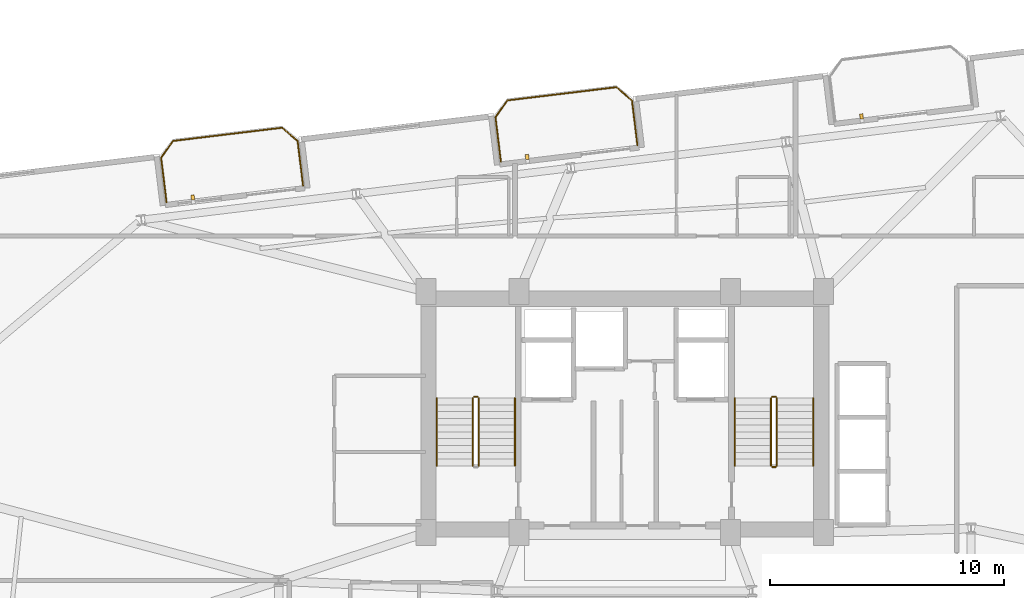
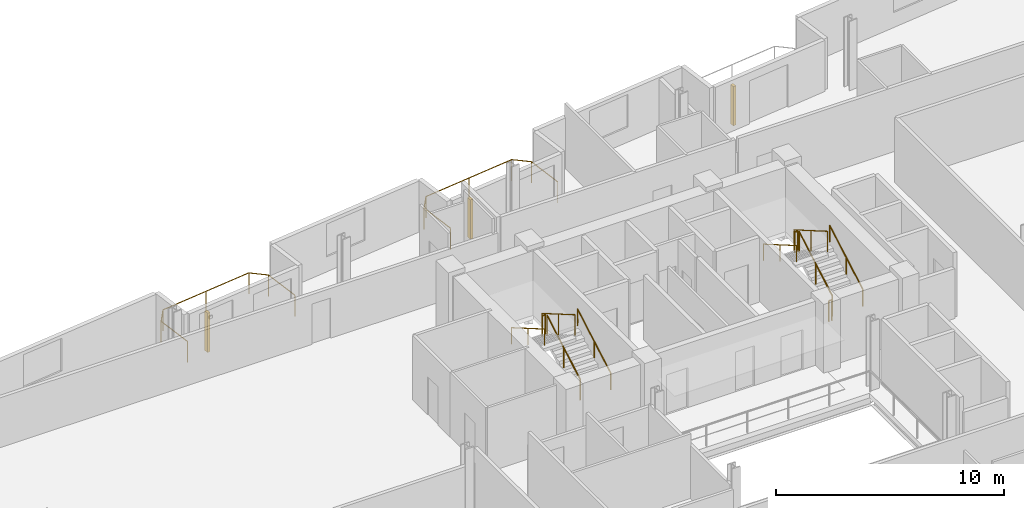
# One storey, part 22 of 23: 13 railings, 3 shading devices.
"""IFC4 building model written with IfcOpenShell, lengths in metres."""

from ifc_helpers import new_model, si_unit, direction, frame, origin, origin_2d, place, context, subcontext, project, spatial, rectangle, circle, extrude, source, transform, mapped, material, type_object, element, save


model = new_model("IFC4")

# Units and contexts
model_context = context("Model", 3, precision=1e-05, world=origin(), true_north=direction((0.0, 1.0)))
body_context = subcontext(model_context, "Body", "Model", "MODEL_VIEW")
ifc_project = project(units=[si_unit("LENGTHUNIT", "METRE"), si_unit("AREAUNIT", "SQUARE_METRE"), si_unit("VOLUMEUNIT", "CUBIC_METRE"), si_unit("PLANEANGLEUNIT", "RADIAN"), si_unit("MASSUNIT", "GRAM", prefix="KILO")], contexts=[model_context])

# Site, building, storey
site_placement = place(None, origin())
site = spatial("IfcSite", under=ifc_project, at=site_placement, CompositionType="ELEMENT")
building_placement = place(site_placement, origin())
building = spatial("IfcBuilding", under=site, at=building_placement, Name="Varnelok Gate Tower", CompositionType="ELEMENT")
storey_placement = place(building_placement, frame((0.0, 0.0, 174.60009765625)))
storey = spatial("IfcBuildingStorey", under=building, at=storey_placement, Name="L44", CompositionType="ELEMENT", Elevation=174.60009765625)

# Railings
ifc_material_1 = material(Name="Low-E Laminated Double Glazing IGU", Category="glass")
railing_type_1 = type_object("IfcRailingType", Name="RL-BALC-1150", PredefinedType="BALUSTRADE", material=ifc_material_1)
railing_1_placement = place(storey_placement, frame((19.603271484375, 42.869384765625, 0.0)))
element("IfcRailing", 1, at=railing_1_placement, inside=storey, type_object=railing_type_1, Name="L44 North Terrace Balustrade 4", PredefinedType="BALUSTRADE", context=body_context, shape_type="SweptSolid", body=[
    extrude(circle(Radius=0.02392578125, at=origin_2d()), frame((0.0, 0.0, 1.1259765625), z_axis=(-0.120418709125, 0.992723191274, 0.0), x_axis=(-0.992723191274, -0.120418709125, 0.0)), (0.0, 0.0, 1.0), 1.919921875),
    extrude(circle(Radius=0.02392578125, at=origin_2d()), frame((-0.231201171875, 1.906005859375, 1.1259765625), z_axis=(0.57815621837, 0.815926091726, 0.0), x_axis=(-0.815926091726, 0.57815621837, 0.0)), (0.0, 0.0, 1.0), 0.8779296875),
    extrude(circle(Radius=0.02392578125, at=origin_2d()), frame((0.2763671875, 2.622314453125, 1.1259765625), z_axis=(0.992730585037, 0.120357739811, 0.0), x_axis=(-0.120357739811, 0.992730585037, 0.0)), (0.0, 0.0, 1.0), 4.699951171875),
    extrude(circle(Radius=0.02392578125, at=origin_2d()), frame((4.942138671875, 3.18798828125, 1.1259765625), z_axis=(0.756285086452, -0.654242208979, 0.0), x_axis=(0.654242208979, 0.756285086452, 0.0)), (0.0, 0.0, 1.0), 0.878173828125),
    extrude(circle(Radius=0.02392578125, at=origin_2d()), frame((5.606201171875, 2.613525390625, 1.1259765625), z_axis=(0.120293392036, -0.992738384386, 0.0), x_axis=(0.992738384386, 0.120293392036, 0.0)), (0.0, 0.0, 1.0), 1.919921875),
    extrude(circle(Radius=0.02099609375, at=origin_2d()), origin(), (0.0, 0.0, 1.0), 1.101806640625),
    extrude(circle(Radius=0.02099609375, at=origin_2d()), frame((-0.231201171875, 1.906005859375, 0.0)), (0.0, 0.0, 1.0), 1.101806640625),
    extrude(circle(Radius=0.02099609375, at=origin_2d()), frame((0.2763671875, 2.622314453125, 0.0)), (0.0, 0.0, 1.0), 1.101806640625),
    extrude(circle(Radius=0.02099609375, at=origin_2d()), frame((2.609375, 2.9052734375, 0.0)), (0.0, 0.0, 1.0), 1.101806640625),
    extrude(circle(Radius=0.02099609375, at=origin_2d()), frame((4.942138671875, 3.18798828125, 0.0)), (0.0, 0.0, 1.0), 1.101806640625),
    extrude(circle(Radius=0.02099609375, at=origin_2d()), frame((5.606201171875, 2.613525390625, 0.0)), (0.0, 0.0, 1.0), 1.101806640625),
    extrude(circle(Radius=0.02099609375, at=origin_2d()), frame((5.837158203125, 0.70751953125, 0.0)), (0.0, 0.0, 1.0), 1.101806640625),
])
railing_2_placement = place(storey_placement, frame((33.8984375, 44.602294921875, 0.0)))
element("IfcRailing", 2, at=railing_2_placement, inside=storey, type_object=railing_type_1, Name="L44 North Terrace Balustrade 5", PredefinedType="BALUSTRADE", context=body_context, shape_type="SweptSolid", body=[
    extrude(circle(Radius=0.02392578125, at=origin_2d()), frame((0.0, 0.0, 1.1259765625), z_axis=(-0.120293392036, 0.992738384386, 0.0), x_axis=(-0.992738384386, -0.120293392036, 0.0)), (0.0, 0.0, 1.0), 1.919921875),
    extrude(circle(Radius=0.02392578125, at=origin_2d()), frame((-0.23095703125, 1.906005859375, 1.1259765625), z_axis=(0.57815621837, 0.815926091726, 0.0), x_axis=(-0.815926091726, 0.57815621837, 0.0)), (0.0, 0.0, 1.0), 0.8779296875),
    extrude(circle(Radius=0.02392578125, at=origin_2d()), frame((0.276611328125, 2.622314453125, 1.1259765625), z_axis=(0.992730585037, 0.120357739811, 0.0), x_axis=(-0.120357739811, 0.992730585037, 0.0)), (0.0, 0.0, 1.0), 4.699951171875),
    extrude(circle(Radius=0.02392578125, at=origin_2d()), frame((4.9423828125, 3.18798828125, 1.1259765625), z_axis=(0.756303655992, -0.654220742513, 0.0), x_axis=(0.654220742513, 0.756303655992, 0.0)), (0.0, 0.0, 1.0), 0.877685546875),
    extrude(circle(Radius=0.02392578125, at=origin_2d()), frame((5.606201171875, 2.61376953125, 1.1259765625), z_axis=(0.12040351024, -0.992725034802, 0.0), x_axis=(0.992725034802, 0.12040351024, 0.0)), (0.0, 0.0, 1.0), 1.920166015625),
    extrude(circle(Radius=0.02099609375, at=origin_2d()), origin(), (0.0, 0.0, 1.0), 1.101806640625),
    extrude(circle(Radius=0.02099609375, at=origin_2d()), frame((-0.23095703125, 1.906005859375, 0.0)), (0.0, 0.0, 1.0), 1.101806640625),
    extrude(circle(Radius=0.02099609375, at=origin_2d()), frame((0.276611328125, 2.622314453125, 0.0)), (0.0, 0.0, 1.0), 1.101806640625),
    extrude(circle(Radius=0.02099609375, at=origin_2d()), frame((2.609375, 2.9052734375, 0.0)), (0.0, 0.0, 1.0), 1.101806640625),
    extrude(circle(Radius=0.02099609375, at=origin_2d()), frame((4.9423828125, 3.18798828125, 0.0)), (0.0, 0.0, 1.0), 1.101806640625),
    extrude(circle(Radius=0.02099609375, at=origin_2d()), frame((5.606201171875, 2.61376953125, 0.0)), (0.0, 0.0, 1.0), 1.101806640625),
    extrude(circle(Radius=0.02099609375, at=origin_2d()), frame((5.83740234375, 0.70751953125, 0.0)), (0.0, 0.0, 1.0), 1.101806640625),
])
ifc_material_2 = material(Name="Brushed Stainless Steel AISI 316", Category="steel")
railing_type_2 = type_object("IfcRailingType", Name="RL-HANDRAIL-900", PredefinedType="HANDRAIL", material=ifc_material_2)
railing_3_placement = place(storey_placement, frame((34.5, 31.60009765625, 0.16796875)))
element("IfcRailing", 3, at=railing_3_placement, inside=storey, type_object=railing_type_2, Name="L44 ST-1 stair handrail 1", PredefinedType="HANDRAIL", context=body_context, shape_type="SweptSolid", body=[
    extrude(circle(Radius=0.02392578125, at=origin_2d()), frame((0.0, 0.0, 0.8759765625), z_axis=(0.0, 0.865038774852, 0.501705010941), x_axis=(-1.0, 0.0, 0.0)), (0.0, 0.0, 1.0), 3.352294921875),
    extrude(circle(Radius=0.02099609375, at=origin_2d()), origin(), (0.0, 0.0, 1.0), 0.851806640625),
    extrude(circle(Radius=0.02099609375, at=origin_2d()), frame((0.0, 1.449951171875, 0.8408203125)), (0.0, 0.0, 1.0), 0.851806640625),
    extrude(circle(Radius=0.02099609375, at=origin_2d()), frame((0.0, 2.89990234375, 1.681884765625)), (0.0, 0.0, 1.0), 0.851806640625),
])
railing_4_placement = place(storey_placement, frame((31.14990234375, 34.5, 2.01806640625)))
element("IfcRailing", 4, at=railing_4_placement, inside=storey, type_object=railing_type_2, Name="L44 ST-1 stair handrail 2", PredefinedType="HANDRAIL", context=body_context, shape_type="SweptSolid", body=[
    extrude(circle(Radius=0.02392578125, at=origin_2d()), frame((0.0, 0.0, 0.8759765625), z_axis=(0.0, -0.865038774852, 0.501705010941), x_axis=(1.0, 0.0, 0.0)), (0.0, 0.0, 1.0), 3.352294921875),
    extrude(circle(Radius=0.02099609375, at=origin_2d()), origin(), (0.0, 0.0, 1.0), 0.851806640625),
    extrude(circle(Radius=0.02099609375, at=origin_2d()), frame((0.0, -1.449951171875, 0.8408203125)), (0.0, 0.0, 1.0), 0.851806640625),
    extrude(circle(Radius=0.02099609375, at=origin_2d()), frame((0.0, -2.89990234375, 1.681884765625)), (0.0, 0.0, 1.0), 0.851806640625),
])
railing_5_placement = place(storey_placement, frame((47.25, 31.60009765625, 0.16796875)))
element("IfcRailing", 5, at=railing_5_placement, inside=storey, type_object=railing_type_2, Name="L44 ST-2 stair handrail 1", PredefinedType="HANDRAIL", context=body_context, shape_type="SweptSolid", body=[
    extrude(circle(Radius=0.02392578125, at=origin_2d()), frame((0.0, 0.0, 0.8759765625), z_axis=(0.0, 0.865038774852, 0.501705010941), x_axis=(-1.0, 0.0, 0.0)), (0.0, 0.0, 1.0), 3.352294921875),
    extrude(circle(Radius=0.02099609375, at=origin_2d()), origin(), (0.0, 0.0, 1.0), 0.851806640625),
    extrude(circle(Radius=0.02099609375, at=origin_2d()), frame((0.0, 1.449951171875, 0.8408203125)), (0.0, 0.0, 1.0), 0.851806640625),
    extrude(circle(Radius=0.02099609375, at=origin_2d()), frame((0.0, 2.89990234375, 1.681884765625)), (0.0, 0.0, 1.0), 0.851806640625),
])
railing_6_placement = place(storey_placement, frame((43.89990234375, 34.5, 2.01806640625)))
element("IfcRailing", 6, at=railing_6_placement, inside=storey, type_object=railing_type_2, Name="L44 ST-2 stair handrail 2", PredefinedType="HANDRAIL", context=body_context, shape_type="SweptSolid", body=[
    extrude(circle(Radius=0.02392578125, at=origin_2d()), frame((0.0, 0.0, 0.8759765625), z_axis=(0.0, -0.865038774852, 0.501705010941), x_axis=(1.0, 0.0, 0.0)), (0.0, 0.0, 1.0), 3.352294921875),
    extrude(circle(Radius=0.02099609375, at=origin_2d()), origin(), (0.0, 0.0, 1.0), 0.851806640625),
    extrude(circle(Radius=0.02099609375, at=origin_2d()), frame((0.0, -1.449951171875, 0.8408203125)), (0.0, 0.0, 1.0), 0.851806640625),
    extrude(circle(Radius=0.02099609375, at=origin_2d()), frame((0.0, -2.89990234375, 1.681884765625)), (0.0, 0.0, 1.0), 0.851806640625),
])
ifc_material_3 = material(Name="Galvanized Steel Grade S350GD", Category="steel")
railing_type_3 = type_object("IfcRailingType", Name="RL-STAIR-GUARD1120", PredefinedType="GUARDRAIL", material=ifc_material_3)
railing_7_placement = place(storey_placement, frame((32.949951171875, 31.60009765625, 0.16796875)))
element("IfcRailing", 7, at=railing_7_placement, inside=storey, type_object=railing_type_3, Name="L44 ST-1 stair guard 1", PredefinedType="GUARDRAIL", context=body_context, shape_type="SweptSolid", body=[
    extrude(circle(Radius=0.02392578125, at=origin_2d()), frame((0.0, 0.0, 1.09619140625), z_axis=(0.0, 0.865038774852, 0.501705010941), x_axis=(-1.0, 0.0, 0.0)), (0.0, 0.0, 1.0), 3.352294921875),
    extrude(circle(Radius=0.02099609375, at=origin_2d()), origin(), (0.0, 0.0, 1.0), 1.072021484375),
    extrude(circle(Radius=0.02099609375, at=origin_2d()), frame((0.0, 1.449951171875, 0.8408203125)), (0.0, 0.0, 1.0), 1.072021484375),
    extrude(circle(Radius=0.02099609375, at=origin_2d()), frame((0.0, 2.89990234375, 1.681884765625)), (0.0, 0.0, 1.0), 1.072021484375),
])
railing_8_placement = place(storey_placement, frame((32.89990234375, 34.550048828125, 1.849853515625)))
element("IfcRailing", 8, at=railing_8_placement, inside=storey, type_object=railing_type_3, Name="L44 ST-1 stair guard 2", PredefinedType="GUARDRAIL", context=body_context, shape_type="SweptSolid", body=[
    extrude(circle(Radius=0.02392578125, at=origin_2d()), frame((0.0, 0.0, 1.09619140625), z_axis=(-1.0, 0.0, 0.0), x_axis=(0.0, -1.0, 0.0)), (0.0, 0.0, 1.0), 0.14990234375),
    extrude(circle(Radius=0.02099609375, at=origin_2d()), origin(), (0.0, 0.0, 1.0), 1.072021484375),
    extrude(circle(Radius=0.02099609375, at=origin_2d()), frame((-0.14990234375, 0.0, 0.0)), (0.0, 0.0, 1.0), 1.072021484375),
])
railing_9_placement = place(storey_placement, frame((32.699951171875, 34.5, 2.01806640625)))
element("IfcRailing", 9, at=railing_9_placement, inside=storey, type_object=railing_type_3, Name="L44 ST-1 stair guard 3", PredefinedType="GUARDRAIL", context=body_context, shape_type="SweptSolid", body=[
    extrude(circle(Radius=0.02392578125, at=origin_2d()), frame((0.0, 0.0, 1.09619140625), z_axis=(0.0, -0.865038774852, 0.501705010941), x_axis=(1.0, 0.0, 0.0)), (0.0, 0.0, 1.0), 3.352294921875),
    extrude(circle(Radius=0.02099609375, at=origin_2d()), origin(), (0.0, 0.0, 1.0), 1.072021484375),
    extrude(circle(Radius=0.02099609375, at=origin_2d()), frame((0.0, -1.449951171875, 0.8408203125)), (0.0, 0.0, 1.0), 1.072021484375),
    extrude(circle(Radius=0.02099609375, at=origin_2d()), frame((0.0, -2.89990234375, 1.681884765625)), (0.0, 0.0, 1.0), 1.072021484375),
])
railing_10_placement = place(storey_placement, frame((45.699951171875, 31.60009765625, 0.16796875)))
element("IfcRailing", 10, at=railing_10_placement, inside=storey, type_object=railing_type_3, Name="L44 ST-2 stair guard 1", PredefinedType="GUARDRAIL", context=body_context, shape_type="SweptSolid", body=[
    extrude(circle(Radius=0.02392578125, at=origin_2d()), frame((0.0, 0.0, 1.09619140625), z_axis=(0.0, 0.865038774852, 0.501705010941), x_axis=(-1.0, 0.0, 0.0)), (0.0, 0.0, 1.0), 3.352294921875),
    extrude(circle(Radius=0.02099609375, at=origin_2d()), origin(), (0.0, 0.0, 1.0), 1.072021484375),
    extrude(circle(Radius=0.02099609375, at=origin_2d()), frame((0.0, 1.449951171875, 0.8408203125)), (0.0, 0.0, 1.0), 1.072021484375),
    extrude(circle(Radius=0.02099609375, at=origin_2d()), frame((0.0, 2.89990234375, 1.681884765625)), (0.0, 0.0, 1.0), 1.072021484375),
])
railing_11_placement = place(storey_placement, frame((45.64990234375, 34.550048828125, 1.849853515625)))
element("IfcRailing", 11, at=railing_11_placement, inside=storey, type_object=railing_type_3, Name="L44 ST-2 stair guard 2", PredefinedType="GUARDRAIL", context=body_context, shape_type="SweptSolid", body=[
    extrude(circle(Radius=0.02392578125, at=origin_2d()), frame((0.0, 0.0, 1.09619140625), z_axis=(-1.0, 0.0, 0.0), x_axis=(0.0, -1.0, 0.0)), (0.0, 0.0, 1.0), 0.14990234375),
    extrude(circle(Radius=0.02099609375, at=origin_2d()), origin(), (0.0, 0.0, 1.0), 1.072021484375),
    extrude(circle(Radius=0.02099609375, at=origin_2d()), frame((-0.14990234375, 0.0, 0.0)), (0.0, 0.0, 1.0), 1.072021484375),
])
railing_12_placement = place(storey_placement, frame((45.449951171875, 34.5, 2.01806640625)))
element("IfcRailing", 12, at=railing_12_placement, inside=storey, type_object=railing_type_3, Name="L44 ST-2 stair guard 3", PredefinedType="GUARDRAIL", context=body_context, shape_type="SweptSolid", body=[
    extrude(circle(Radius=0.02392578125, at=origin_2d()), frame((0.0, 0.0, 1.09619140625), z_axis=(0.0, -0.865038774852, 0.501705010941), x_axis=(1.0, 0.0, 0.0)), (0.0, 0.0, 1.0), 3.352294921875),
    extrude(circle(Radius=0.02099609375, at=origin_2d()), origin(), (0.0, 0.0, 1.0), 1.072021484375),
    extrude(circle(Radius=0.02099609375, at=origin_2d()), frame((0.0, -1.449951171875, 0.8408203125)), (0.0, 0.0, 1.0), 1.072021484375),
    extrude(circle(Radius=0.02099609375, at=origin_2d()), frame((0.0, -2.89990234375, 1.681884765625)), (0.0, 0.0, 1.0), 1.072021484375),
])
railing_13_placement = place(storey_placement, frame((45.64990234375, 31.550048828125, 0.0)))
element("IfcRailing", 13, at=railing_13_placement, inside=storey, type_object=railing_type_3, Name="L44 ST-2 stair guard 4", PredefinedType="GUARDRAIL", context=body_context, shape_type="SweptSolid", body=[
    extrude(circle(Radius=0.02392578125, at=origin_2d()), frame((0.0, 0.0, 1.09619140625), z_axis=(-1.0, 0.0, 0.0), x_axis=(0.0, -1.0, 0.0)), (0.0, 0.0, 1.0), 0.14990234375),
    extrude(circle(Radius=0.02099609375, at=origin_2d()), origin(), (0.0, 0.0, 1.0), 1.072021484375),
    extrude(circle(Radius=0.02099609375, at=origin_2d()), frame((-0.14990234375, 0.0, 0.0)), (0.0, 0.0, 1.0), 1.072021484375),
])

# Shading devices
ifc_material_4 = material(Name="Glazed Architectural Terracotta Ceramic", Category="masonry")
shading_device_type = type_object("IfcShadingDeviceType", Name="SHD-TERRA-BAGUETTE", PredefinedType="USERDEFINED", material=ifc_material_4)
shared_shape = source(origin(), body_context, "Body", "SweptSolid", [
    extrude(rectangle(XDim=0.139892578125, YDim=0.219970703125, at=origin_2d()), origin(), (0.0, 0.0, 1.0), 2.10009765625),
])
for number, where, z_axis, x_axis, name in (
    (14, (20.7265625, 43.075927734375, 0.099853515625), (0.0, 0.0, 1.0), (0.992732158755, 0.12034475881, 0.0), "L44 Terracotta Ceramic Baguette Sunscreen 4.1"),
    (15, (35.021728515625, 44.80908203125, 0.099853515625), (0.0, 0.0, 1.0), (0.992732158755, 0.12034475881, 0.0), "L44 Terracotta Ceramic Baguette Sunscreen 5.1"),
    (16, (49.317138671875, 46.5419921875, 0.099853515625), (0.0, 0.0, 1.0), (0.992732158755, 0.12034475881, 0.0), "L44 Terracotta Ceramic Baguette Sunscreen 6.1"),
):
    element("IfcShadingDevice", number, at=place(storey_placement, frame(where, z_axis=z_axis, x_axis=x_axis)), inside=storey, type_object=shading_device_type, Name=name, ObjectType="BAGUETTE", PredefinedType="USERDEFINED", context=body_context, shape_type="MappedRepresentation", body=[
        mapped(shared_shape, transform((0.0, 0.0, 0.0), scale=1.0)),
    ])

save(model, "model.ifc")
